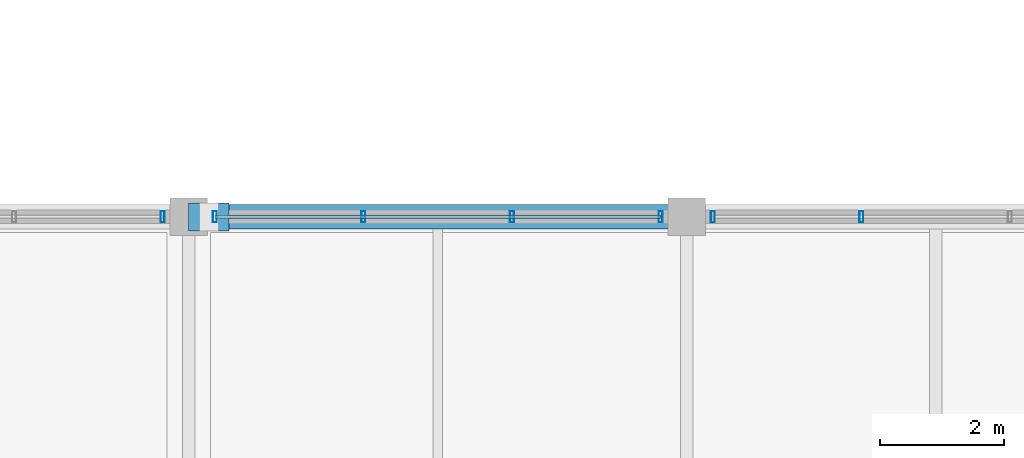
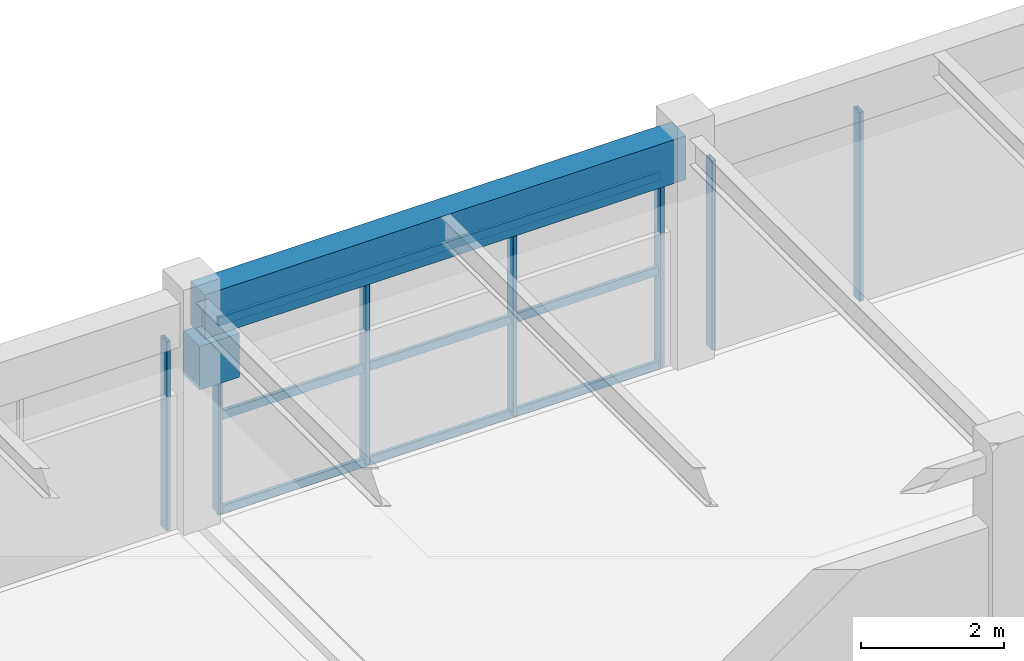
# One storey, part 20 of 126: 10 members, 2 beams, 3 elements without a shape of their own.
"""IFC4 building model written with IfcOpenShell, lengths in metres."""

from ifc_helpers import new_model, si_unit, direction, frame, origin, origin_2d, place, context, subcontext, project, spatial, rectangle, hollow_rectangle, extrude, material, material_profile, profile_set, type_object, element, aggregate, save


model = new_model("IFC4")

# Units and contexts
model_context = context("Model", 3, precision=1e-05, world=origin(), true_north=direction((0.0, 1.0)))
body_context = subcontext(model_context, "Body", "Model", "MODEL_VIEW")
ifc_project = project(units=[si_unit("LENGTHUNIT", "METRE"), si_unit("AREAUNIT", "SQUARE_METRE"), si_unit("VOLUMEUNIT", "CUBIC_METRE"), si_unit("PLANEANGLEUNIT", "RADIAN"), si_unit("MASSUNIT", "GRAM", prefix="KILO")], contexts=[model_context])

# Site, building, storey
site_placement = place(None, origin())
site = spatial("IfcSite", under=ifc_project, at=site_placement, CompositionType="ELEMENT")
building_placement = place(site_placement, origin())
building = spatial("IfcBuilding", under=site, at=building_placement, Name="Varnabhumi Central Station", CompositionType="ELEMENT")
storey_placement = place(building_placement, frame((0.0, 0.0, 16.199951171875)))
storey = spatial("IfcBuildingStorey", under=building, at=storey_placement, Name="L03", CompositionType="ELEMENT", Elevation=16.199951171875)

# Beams
ifc_material_1 = material(Name="Concrete M40", Category="concrete")
ifc_material_profile_1 = material_profile(ifc_material_1, rectangle(XDim=0.39990234375, YDim=0.75, at=origin_2d()), Name="Concrete M40", Category="concrete")
ifc_profile_set_1 = profile_set([ifc_material_profile_1], Name="Concrete M40")
beam_type_1 = type_object("IfcBeamType", Name="BM-RC-400x750", PredefinedType="BEAM", material=ifc_profile_set_1)
beam_1_placement = place(storey_placement, frame((120.10009765625, 9.0, 3.545166015625), z_axis=(1.0, 0.0, 0.0), x_axis=(0.0, 1.0, 0.0)))
element("IfcBeam", 1, at=beam_1_placement, inside=storey, type_object=beam_type_1, Name="Beam L03-B:16-17", PredefinedType="BEAM", context=body_context, shape_type="SweptSolid", body=[
    extrude(rectangle(XDim=0.39990234375, YDim=0.75, at=origin_2d()), origin(), (0.0, 0.0, 1.0), 7.7998046875),
])
ifc_material_profile_2 = material_profile(ifc_material_1, rectangle(XDim=0.449951171875, YDim=0.75, at=origin_2d()), Name="Concrete M40", Category="concrete")
ifc_profile_set_2 = profile_set([ifc_material_profile_2], Name="Concrete M40")
beam_type_2 = type_object("IfcBeamType", Name="BM-RC-450x750", PredefinedType="BEAM", material=ifc_profile_set_2)
beam_2_placement = place(storey_placement, frame((120.0, 9.0, 2.715087890625), z_axis=(1.0, 0.0, 0.0), x_axis=(0.0, 1.0, 0.0)))
element("IfcBeam", 2, at=beam_2_placement, inside=storey, type_object=beam_type_2, Name="Movement Joint 650mm Corbel Seat L03-B-16", PredefinedType="BEAM", context=body_context, shape_type="SweptSolid", body=[
    extrude(rectangle(XDim=0.449951171875, YDim=0.75, at=origin_2d()), origin(), (0.0, 0.0, 1.0), 0.64990234375),
])

# Curtain wall, member
ifc_material_2 = material(Name="Anodised aluminium 6063-T6", Category="aluminium")
curtain_wall_type = type_object("IfcCurtainWallType", Name="CW-PATIO-LOGGIA-L3", PredefinedType="NOTDEFINED", material=ifc_material_2)
curtain_wall_1_placement = place(storey_placement, origin())
curtain_wall_1 = element("IfcCurtainWall", 3, at=curtain_wall_1_placement, inside=storey, type_object=curtain_wall_type, Name="Curtain Wall CW-SP3S1", PredefinedType="NOTDEFINED")
ifc_material_profile_3 = material_profile(ifc_material_2, hollow_rectangle(XDim=0.06494140625, YDim=0.179931640625, WallThickness=0.00390625, InnerFilletRadius=0.001953125, OuterFilletRadius=0.006103515625, at=origin_2d()), Name="Anodised aluminium 6063-T6", Category="aluminium")
ifc_profile_set_3 = profile_set([ifc_material_profile_3], Name="Anodised aluminium 6063-T6")
member_type_1 = type_object("IfcMemberType", Name="CW-MUL-180", PredefinedType="MULLION", material=ifc_profile_set_3)
member_1_placement = place(storey_placement, frame((119.580078125, 9.0, 0.0), z_axis=(0.0, 0.0, 1.0), x_axis=(1.0, 0.0, 0.0)))
member_1 = element("IfcMember", 4, at=member_1_placement, type_object=member_type_1, Name="Curtain Wall Mullion CW-SP3S1-M4", PredefinedType="MULLION", context=body_context, shape_type="SweptSolid", body=[
    extrude(hollow_rectangle(XDim=0.06494140625, YDim=0.179931640625, WallThickness=0.00390625, InnerFilletRadius=0.001953125, OuterFilletRadius=0.006103515625, at=origin_2d()), origin(), (0.0, 0.0, 1.0), 3.239990234375),
])
aggregate(curtain_wall_1, [member_1])

# Curtain wall, members
curtain_wall_2_placement = place(storey_placement, origin())
curtain_wall_2 = element("IfcCurtainWall", 5, at=curtain_wall_2_placement, inside=storey, type_object=curtain_wall_type, Name="Curtain Wall CW-SP3S2", PredefinedType="NOTDEFINED")
member_2_placement = place(storey_placement, frame((120.419921875, 9.0, 0.0), z_axis=(0.0, 0.0, 1.0), x_axis=(1.0, 0.0, 0.0)))
member_2 = element("IfcMember", 6, at=member_2_placement, type_object=member_type_1, Name="Curtain Wall Mullion CW-SP3S2-M1", PredefinedType="MULLION", context=body_context, shape_type="SweptSolid", body=[
    extrude(hollow_rectangle(XDim=0.06494140625, YDim=0.179931640625, WallThickness=0.00390625, InnerFilletRadius=0.001953125, OuterFilletRadius=0.006103515625, at=origin_2d()), origin(), (0.0, 0.0, 1.0), 3.239990234375),
])
member_3_placement = place(storey_placement, frame((122.806640625, 9.0, 0.0), z_axis=(0.0, 0.0, 1.0), x_axis=(1.0, 0.0, 0.0)))
member_3 = element("IfcMember", 7, at=member_3_placement, type_object=member_type_1, Name="Curtain Wall Mullion CW-SP3S2-M2", PredefinedType="MULLION", context=body_context, shape_type="SweptSolid", body=[
    extrude(hollow_rectangle(XDim=0.06494140625, YDim=0.179931640625, WallThickness=0.00390625, InnerFilletRadius=0.001953125, OuterFilletRadius=0.006103515625, at=origin_2d()), origin(), (0.0, 0.0, 1.0), 3.239990234375),
])
member_4_placement = place(storey_placement, frame((125.193359375, 9.0, 0.0), z_axis=(0.0, 0.0, 1.0), x_axis=(1.0, 0.0, 0.0)))
member_4 = element("IfcMember", 8, at=member_4_placement, type_object=member_type_1, Name="Curtain Wall Mullion CW-SP3S2-M3", PredefinedType="MULLION", context=body_context, shape_type="SweptSolid", body=[
    extrude(hollow_rectangle(XDim=0.06494140625, YDim=0.179931640625, WallThickness=0.00390625, InnerFilletRadius=0.001953125, OuterFilletRadius=0.006103515625, at=origin_2d()), origin(), (0.0, 0.0, 1.0), 3.239990234375),
])
member_5_placement = place(storey_placement, frame((127.580078125, 9.0, 0.0), z_axis=(0.0, 0.0, 1.0), x_axis=(1.0, 0.0, 0.0)))
member_5 = element("IfcMember", 9, at=member_5_placement, type_object=member_type_1, Name="Curtain Wall Mullion CW-SP3S2-M4", PredefinedType="MULLION", context=body_context, shape_type="SweptSolid", body=[
    extrude(hollow_rectangle(XDim=0.06494140625, YDim=0.179931640625, WallThickness=0.00390625, InnerFilletRadius=0.001953125, OuterFilletRadius=0.006103515625, at=origin_2d()), origin(), (0.0, 0.0, 1.0), 3.239990234375),
])

curtain_wall_3_placement = place(storey_placement, origin())
curtain_wall_3 = element("IfcCurtainWall", 10, at=curtain_wall_3_placement, inside=storey, type_object=curtain_wall_type, Name="Curtain Wall CW-SP3S3", PredefinedType="NOTDEFINED")
member_6_placement = place(storey_placement, frame((128.419921875, 9.0, 0.0), z_axis=(0.0, 0.0, 1.0), x_axis=(1.0, 0.0, 0.0)))
member_6 = element("IfcMember", 11, at=member_6_placement, type_object=member_type_1, Name="Curtain Wall Mullion CW-SP3S3-M1", PredefinedType="MULLION", context=body_context, shape_type="SweptSolid", body=[
    extrude(hollow_rectangle(XDim=0.06494140625, YDim=0.179931640625, WallThickness=0.00390625, InnerFilletRadius=0.001953125, OuterFilletRadius=0.006103515625, at=origin_2d()), origin(), (0.0, 0.0, 1.0), 3.239990234375),
])
member_7_placement = place(storey_placement, frame((130.806640625, 9.0, 0.0), z_axis=(0.0, 0.0, 1.0), x_axis=(1.0, 0.0, 0.0)))
member_7 = element("IfcMember", 12, at=member_7_placement, type_object=member_type_1, Name="Curtain Wall Mullion CW-SP3S3-M2", PredefinedType="MULLION", context=body_context, shape_type="SweptSolid", body=[
    extrude(hollow_rectangle(XDim=0.06494140625, YDim=0.179931640625, WallThickness=0.00390625, InnerFilletRadius=0.001953125, OuterFilletRadius=0.006103515625, at=origin_2d()), origin(), (0.0, 0.0, 1.0), 3.239990234375),
])
aggregate(curtain_wall_3, [member_6, member_7])

# Member
ifc_material_profile_4 = material_profile(ifc_material_2, hollow_rectangle(XDim=0.06005859375, YDim=0.14990234375, WallThickness=0.00390625, InnerFilletRadius=0.001953125, OuterFilletRadius=0.006103515625, at=origin_2d()), Name="Anodised aluminium 6063-T6", Category="aluminium")
ifc_profile_set_4 = profile_set([ifc_material_profile_4], Name="Anodised aluminium 6063-T6")
member_type_2 = type_object("IfcMemberType", Name="CW-TR-150", PredefinedType="USERDEFINED", material=ifc_profile_set_4)
member_8_placement = place(storey_placement, frame((120.419921875, 9.0, 0.0), z_axis=(1.0, 0.0, 0.0), x_axis=(0.0, 1.0, 0.0)))
member_8 = element("IfcMember", 13, at=member_8_placement, type_object=member_type_2, Name="Curtain Wall Transom CW-SP3S2-T1", ObjectType="TRANSOM", PredefinedType="USERDEFINED", context=body_context, shape_type="SweptSolid", body=[
    extrude(hollow_rectangle(XDim=0.06005859375, YDim=0.14990234375, WallThickness=0.00390625, InnerFilletRadius=0.001953125, OuterFilletRadius=0.006103515625, at=origin_2d()), origin(), (0.0, 0.0, 1.0), 7.16015625),
])

member_9_placement = place(storey_placement, frame((120.419921875, 9.0, 1.6201171875), z_axis=(1.0, 0.0, 0.0), x_axis=(0.0, 1.0, 0.0)))
member_9 = element("IfcMember", 14, at=member_9_placement, type_object=member_type_2, Name="Curtain Wall Transom CW-SP3S2-T2", ObjectType="TRANSOM", PredefinedType="USERDEFINED", context=body_context, shape_type="SweptSolid", body=[
    extrude(hollow_rectangle(XDim=0.06005859375, YDim=0.14990234375, WallThickness=0.00390625, InnerFilletRadius=0.001953125, OuterFilletRadius=0.006103515625, at=origin_2d()), origin(), (0.0, 0.0, 1.0), 7.16015625),
])

member_10_placement = place(storey_placement, frame((120.419921875, 9.0, 3.239990234375), z_axis=(1.0, 0.0, 0.0), x_axis=(0.0, 1.0, 0.0)))
member_10 = element("IfcMember", 15, at=member_10_placement, type_object=member_type_2, Name="Curtain Wall Transom CW-SP3S2-T3", ObjectType="TRANSOM", PredefinedType="USERDEFINED", context=body_context, shape_type="SweptSolid", body=[
    extrude(hollow_rectangle(XDim=0.06005859375, YDim=0.14990234375, WallThickness=0.00390625, InnerFilletRadius=0.001953125, OuterFilletRadius=0.006103515625, at=origin_2d()), origin(), (0.0, 0.0, 1.0), 7.16015625),
])

aggregate(curtain_wall_2, [member_2, member_3, member_4, member_5, member_8, member_9, member_10])

save(model, "model.ifc")
